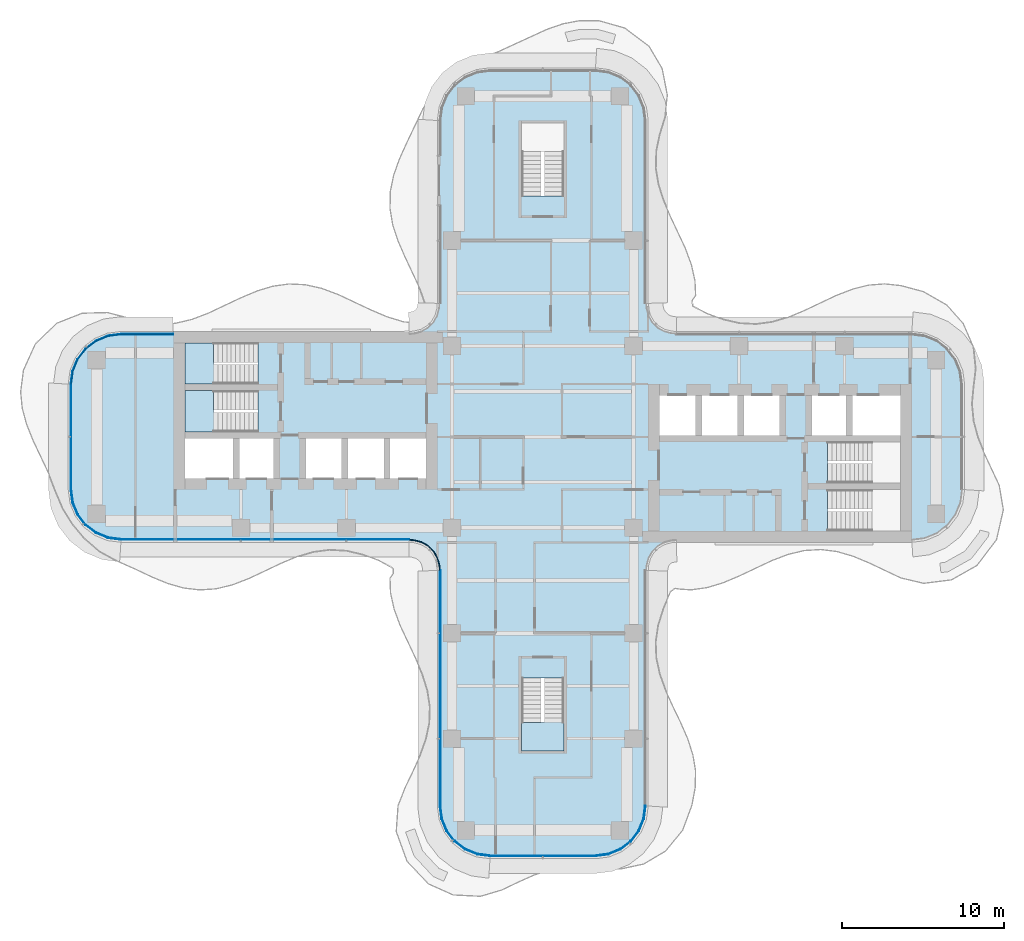
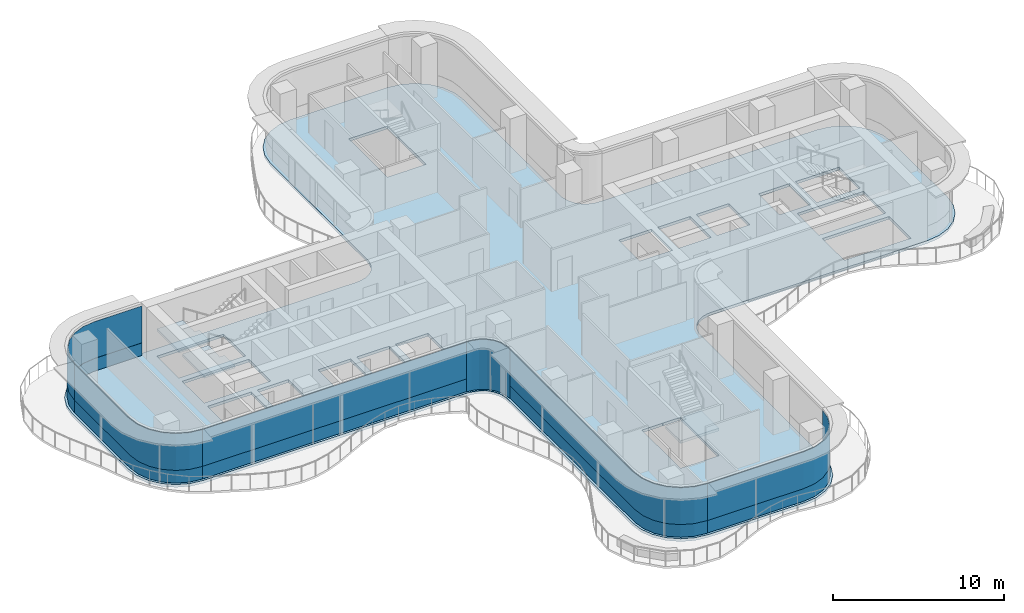
# One storey, part 9 of 17: 11 plates, 4 slabs, 9 elements without a shape of their own.
"""IFC4 building model written with IfcOpenShell, lengths in metres."""

from ifc_helpers import new_model, si_unit, direction, frame, origin, place, context, subcontext, project, spatial, polyline, outline, extrude, source, transform, mapped, material, layer, layer_set, type_object, element, aggregate, save


model = new_model("IFC4")

# Units and contexts
model_context = context("Model", 3, precision=1e-05, world=origin(), true_north=direction((0.0, 1.0)))
body_context = subcontext(model_context, "Body", "Model", "MODEL_VIEW")
ifc_project = project(units=[si_unit("LENGTHUNIT", "METRE"), si_unit("AREAUNIT", "SQUARE_METRE"), si_unit("VOLUMEUNIT", "CUBIC_METRE"), si_unit("PLANEANGLEUNIT", "RADIAN"), si_unit("MASSUNIT", "GRAM", prefix="KILO")], contexts=[model_context])

# Site, building, storey
site_placement = place(None, origin())
site = spatial("IfcSite", under=ifc_project, at=site_placement, CompositionType="ELEMENT")
building_placement = place(site_placement, origin())
building = spatial("IfcBuilding", under=site, at=building_placement, Name="Trellis Farm Tower", CompositionType="ELEMENT")
storey_placement = place(building_placement, frame((0.0, 0.0, 232.39990234375)))
storey = spatial("IfcBuildingStorey", under=building, at=storey_placement, Name="L51", CompositionType="ELEMENT", Elevation=232.39990234375)

# Slab
ifc_material_1 = material(Name="Concrete C40/50", Category="concrete")
ifc_layer_1 = layer(ifc_material_1, 0.199951171875)
ifc_layer_set_1 = layer_set([ifc_layer_1], Name="Composite deck floor slab 200")
slab_type_1 = type_object("IfcSlabType", Name="Composite deck floor slab 200", PredefinedType="FLOOR", material=ifc_layer_set_1)
shared_shape_1 = source(origin(), body_context, "Body", "SweptSolid", [
    extrude(outline(polyline([(-26.84130859375, -6.389404296875), (-27.625, -6.064697265625), (-28.298095703125, -5.548095703125), (-28.814697265625, -4.875), (-29.139404296875, -4.09130859375), (-29.25, -3.25), (-29.25, 3.25), (-29.139404296875, 4.09130859375), (-28.814697265625, 4.875), (-28.298095703125, 5.548095703125), (-27.625, 6.064697265625), (-26.84130859375, 6.389404296875), (-26.0, 6.5), (-8.2314453125, 6.5), (-8.01953125, 6.513916015625), (-7.91552734375, 6.527587890625), (-7.508544921875, 6.63671875), (-7.144287109375, 6.846923828125), (-6.846923828125, 7.144287109375), (-6.63671875, 7.508544921875), (-6.527587890625, 7.91552734375), (-6.513916015625, 8.01953125), (-6.5, 8.2314453125), (-6.5, 19.5), (-6.389404296875, 20.34130859375), (-6.064697265625, 21.125), (-5.548095703125, 21.798095703125), (-4.875, 22.314697265625), (-4.09130859375, 22.639404296875), (-3.25, 22.75), (3.25, 22.75), (4.09130859375, 22.639404296875), (4.875, 22.314697265625), (5.548095703125, 21.798095703125), (6.064697265625, 21.125), (6.389404296875, 20.34130859375), (6.5, 19.5), (6.5, 8.2314453125), (6.513916015625, 8.01953125), (6.527587890625, 7.91552734375), (6.63671875, 7.508544921875), (6.846923828125, 7.144287109375), (7.144287109375, 6.846923828125), (7.508544921875, 6.63671875), (7.91552734375, 6.527587890625), (8.01953125, 6.513916015625), (8.2314453125, 6.5), (22.75, 6.5), (23.59130859375, 6.389404296875), (24.375, 6.064697265625), (25.048095703125, 5.548095703125), (25.564697265625, 4.875), (25.889404296875, 4.09130859375), (26.0, 3.25), (26.0, -3.25), (25.889404296875, -4.09130859375), (25.564697265625, -4.875), (25.048095703125, -5.548095703125), (24.375, -6.064697265625), (23.59130859375, -6.389404296875), (22.75, -6.5), (8.2314453125, -6.5), (8.01953125, -6.513916015625), (7.91552734375, -6.527587890625), (7.508544921875, -6.63671875), (7.144287109375, -6.846923828125), (6.846923828125, -7.144287109375), (6.63671875, -7.508544921875), (6.527587890625, -7.91552734375), (6.513916015625, -8.01953125), (6.5, -8.2314453125), (6.5, -22.75), (6.389404296875, -23.59130859375), (6.064697265625, -24.375), (5.548095703125, -25.048095703125), (4.875, -25.564697265625), (4.09130859375, -25.889404296875), (3.25, -26.0), (-3.25, -26.0), (-4.09130859375, -25.889404296875), (-4.875, -25.564697265625), (-5.548095703125, -25.048095703125), (-6.064697265625, -24.375), (-6.389404296875, -23.59130859375), (-6.5, -22.75), (-6.5, -8.2314453125), (-6.513916015625, -8.01953125), (-6.527587890625, -7.91552734375), (-6.63671875, -7.508544921875), (-6.846923828125, -7.144287109375), (-7.144287109375, -6.846923828125), (-7.508544921875, -6.63671875), (-7.91552734375, -6.527587890625), (-8.01953125, -6.513916015625), (-8.2314453125, -6.5), (-26.0, -6.5), (-26.84130859375, -6.389404296875)]), holes=[polyline([(-22.050048828125, -0.10009765625), (-22.050048828125, -2.550048828125), (-19.10009765625, -2.550048828125), (-19.10009765625, -0.10009765625), (-22.050048828125, -0.10009765625)]), polyline([(-18.699951171875, -0.10009765625), (-18.699951171875, -2.550048828125), (-16.60009765625, -2.550048828125), (-16.60009765625, -0.10009765625), (-18.699951171875, -0.10009765625)]), polyline([(-14.60009765625, -0.10009765625), (-14.60009765625, -2.550048828125), (-12.39990234375, -2.550048828125), (-12.39990234375, -0.10009765625), (-14.60009765625, -0.10009765625)]), polyline([(-12.0, -0.10009765625), (-12.0, -2.550048828125), (-9.800048828125, -2.550048828125), (-9.800048828125, -0.10009765625), (-12.0, -0.10009765625)]), polyline([(-9.39990234375, -0.10009765625), (-9.39990234375, -2.550048828125), (-7.199951171875, -2.550048828125), (-7.199951171875, -0.10009765625), (-9.39990234375, -0.10009765625)]), polyline([(-17.56201171875, 1.64990234375), (-17.56201171875, 2.85009765625), (-22.050048828125, 2.85009765625), (-22.050048828125, 0.300048828125), (-17.56005859375, 0.300048828125), (-17.56005859375, 1.5), (-17.550048828125, 1.5), (-17.550048828125, 1.64990234375), (-17.56201171875, 1.64990234375)]), polyline([(-17.56201171875, 4.60009765625), (-17.56201171875, 5.800048828125), (-22.050048828125, 5.800048828125), (-22.050048828125, 3.25), (-17.56005859375, 3.25), (-17.56005859375, 4.449951171875), (-17.550048828125, 4.449951171875), (-17.550048828125, 4.60009765625), (-17.56201171875, 4.60009765625)]), polyline([(0.10009765625, 14.862060546875), (1.300048828125, 14.862060546875), (1.300048828125, 19.35009765625), (-1.300048828125, 19.35009765625), (-1.300048828125, 14.860107421875), (-0.10009765625, 14.860107421875), (-0.10009765625, 14.85009765625), (0.10009765625, 14.85009765625), (0.10009765625, 14.862060546875)]), polyline([(-0.10009765625, -14.862060546875), (-1.300048828125, -14.862060546875), (-1.300048828125, -19.35009765625), (1.300048828125, -19.35009765625), (1.300048828125, -14.860107421875), (0.10009765625, -14.860107421875), (0.10009765625, -14.85009765625), (-0.10009765625, -14.85009765625), (-0.10009765625, -14.862060546875)]), polyline([(17.56201171875, -4.60009765625), (17.56201171875, -5.800048828125), (22.050048828125, -5.800048828125), (22.050048828125, -3.25), (17.56005859375, -3.25), (17.56005859375, -4.449951171875), (17.550048828125, -4.449951171875), (17.550048828125, -4.60009765625), (17.56201171875, -4.60009765625)]), polyline([(17.56201171875, -1.64990234375), (17.56201171875, -2.85009765625), (22.050048828125, -2.85009765625), (22.050048828125, -0.300048828125), (17.56005859375, -0.300048828125), (17.56005859375, -1.5), (17.550048828125, -1.5), (17.550048828125, -1.64990234375), (17.56201171875, -1.64990234375)]), polyline([(9.39990234375, 0.10009765625), (9.39990234375, 2.550048828125), (7.199951171875, 2.550048828125), (7.199951171875, 0.10009765625), (9.39990234375, 0.10009765625)]), polyline([(12.0, 0.10009765625), (12.0, 2.550048828125), (9.800048828125, 2.550048828125), (9.800048828125, 0.10009765625), (12.0, 0.10009765625)]), polyline([(14.60009765625, 0.10009765625), (14.60009765625, 2.550048828125), (12.39990234375, 2.550048828125), (12.39990234375, 0.10009765625), (14.60009765625, 0.10009765625)]), polyline([(18.699951171875, 0.10009765625), (18.699951171875, 2.550048828125), (16.60009765625, 2.550048828125), (16.60009765625, 0.10009765625), (18.699951171875, 0.10009765625)]), polyline([(22.050048828125, 0.10009765625), (22.050048828125, 2.550048828125), (19.10009765625, 2.550048828125), (19.10009765625, 0.10009765625), (22.050048828125, 0.10009765625)])]), origin(), (0.0, 0.0, 1.0), 0.199951171875),
])
slab_1_placement = place(storey_placement, frame((0.0, 0.0, -0.199951171875)))
element("IfcSlab", 1, at=slab_1_placement, inside=storey, type_object=slab_type_1, Name="Floor slab", PredefinedType="FLOOR", context=body_context, shape_type="MappedRepresentation", body=[
    mapped(shared_shape_1, transform((0.0, 0.0, 0.0))),
])

# Stair, slab
ifc_material_2 = material(Name="Concrete C50/60", Category="concrete")
stair_type = type_object("IfcStairType", Name="CORE EXIT STAIR 22 RISERS 177 MM", PredefinedType="HALF_TURN_STAIR", material=ifc_material_2)
placement_1 = place(storey_placement, origin())
stair_1 = element("IfcStair", 2, at=placement_1, inside=storey, type_object=stair_type, Name="Exit stair S", PredefinedType="HALF_TURN_STAIR")
ifc_layer_2 = layer(ifc_material_2, 0.18994140625)
ifc_layer_set_2 = layer_set([ifc_layer_2], Name="CORE STAIR LANDING 190 CONCRETE C50/60")
slab_type_2 = type_object("IfcSlabType", Name="CORE STAIR LANDING 190 CONCRETE C50/60", PredefinedType="LANDING", material=ifc_layer_set_2)
shared_shape_2 = source(origin(), body_context, "Body", "SweptSolid", [
    extrude(outline(polyline([(1.300048828125, -19.35009765625), (-1.300048828125, -19.35009765625), (-1.300048828125, -17.60009765625), (-1.300048828125, -17.590087890625), (-0.10009765625, -17.590087890625), (-0.10009765625, -17.60009765625), (0.10009765625, -17.60009765625), (0.10009765625, -17.27197265625), (1.300048828125, -17.27197265625), (1.300048828125, -17.60009765625), (1.300048828125, -19.35009765625)])), origin(), (0.0, 0.0, 1.0), 0.190185546875),
])
placement_2 = place(storey_placement, frame((0.0, 0.0, 1.760009765625)))
slab_2 = element("IfcSlab", 3, at=placement_2, type_object=slab_type_2, Name="STS landing 1", PredefinedType="LANDING", context=body_context, shape_type="MappedRepresentation", body=[
    mapped(shared_shape_2, transform((0.0, 0.0, 0.0))),
])
aggregate(stair_1, [slab_2])

stair_2 = element("IfcStair", 4, at=placement_1, inside=storey, type_object=stair_type, Name="Exit stair W1", PredefinedType="HALF_TURN_STAIR")
shared_shape_3 = source(origin(), body_context, "Body", "SweptSolid", [
    extrude(outline(polyline([(-19.971923828125, 4.449951171875), (-19.971923828125, 3.25), (-20.300048828125, 3.25), (-22.050048828125, 3.25), (-22.050048828125, 5.800048828125), (-20.300048828125, 5.800048828125), (-20.2900390625, 5.800048828125), (-20.2900390625, 4.60009765625), (-20.300048828125, 4.60009765625), (-20.300048828125, 4.449951171875), (-19.971923828125, 4.449951171875)])), origin(), (0.0, 0.0, 1.0), 0.190185546875),
])
slab_3 = element("IfcSlab", 5, at=placement_2, type_object=slab_type_2, Name="STW1 landing 1", PredefinedType="LANDING", context=body_context, shape_type="MappedRepresentation", body=[
    mapped(shared_shape_3, transform((0.0, 0.0, 0.0))),
])
aggregate(stair_2, [slab_3])

stair_3 = element("IfcStair", 6, at=placement_1, inside=storey, type_object=stair_type, Name="Exit stair W2", PredefinedType="HALF_TURN_STAIR")
shared_shape_4 = source(origin(), body_context, "Body", "SweptSolid", [
    extrude(outline(polyline([(-19.971923828125, 1.5), (-19.971923828125, 0.300048828125), (-20.300048828125, 0.300048828125), (-22.050048828125, 0.300048828125), (-22.050048828125, 2.85009765625), (-20.300048828125, 2.85009765625), (-20.2900390625, 2.85009765625), (-20.2900390625, 1.64990234375), (-20.300048828125, 1.64990234375), (-20.300048828125, 1.5), (-19.971923828125, 1.5)])), origin(), (0.0, 0.0, 1.0), 0.190185546875),
])
slab_4 = element("IfcSlab", 7, at=placement_2, type_object=slab_type_2, Name="STW2 landing 1", PredefinedType="LANDING", context=body_context, shape_type="MappedRepresentation", body=[
    mapped(shared_shape_4, transform((0.0, 0.0, 0.0))),
])
aggregate(stair_3, [slab_4])

# Curtain wall, plate
ifc_material_3 = material(Name="Aluminium and glass curtain wall", Category="aluminium")
ifc_layer_3 = layer(ifc_material_3, 0.166015625)
ifc_layer_set_3 = layer_set([ifc_layer_3], Name="WINTER GARDEN CURTAIN WALL CW3")
curtain_wall_type_1 = type_object("IfcCurtainWallType", Name="WINTER GARDEN CURTAIN WALL CW3", PredefinedType="NOTDEFINED", material=ifc_layer_set_3)
curtain_wall_1 = element("IfcCurtainWall", 8, at=placement_1, inside=storey, type_object=curtain_wall_type_1, Name="CW3 001", PredefinedType="NOTDEFINED")
ifc_material_4 = material(Name="Clear insulated glass", Category="glass")
ifc_layer_4 = layer(ifc_material_4, 0.0458984375)
ifc_layer_set_4 = layer_set([ifc_layer_4], Name="CW3 GLASS PANEL 46")
plate_type_1 = type_object("IfcPlateType", Name="CW3 GLASS PANEL 46", PredefinedType="CURTAIN_PANEL", material=ifc_layer_set_4)
shared_shape_5 = source(origin(), body_context, "Body", "SweptSolid", [
    extrude(outline(polyline([(-8.2275390625, -6.3798828125), (-8.0078125, -6.394287109375), (-7.89208984375, -6.40966796875), (-7.462158203125, -6.52490234375), (-7.070556640625, -6.7509765625), (-6.7509765625, -7.070556640625), (-6.52490234375, -7.462158203125), (-6.40966796875, -7.89208984375), (-6.394287109375, -8.0078125), (-6.3798828125, -8.2275390625), (-6.333984375, -8.22607421875), (-6.3486328125, -8.003173828125), (-6.364501953125, -7.883056640625), (-6.48193359375, -7.4443359375), (-6.714111328125, -7.04248046875), (-7.04248046875, -6.714111328125), (-7.4443359375, -6.48193359375), (-7.883056640625, -6.364501953125), (-8.003173828125, -6.3486328125), (-8.22607421875, -6.333984375), (-8.2275390625, -6.3798828125)])), origin(), (0.0, 0.0, 1.0), 3.550048828125),
])
plate_1 = element("IfcPlate", 9, at=placement_1, type_object=plate_type_1, Name="PL3 001", PredefinedType="CURTAIN_PANEL", context=body_context, shape_type="MappedRepresentation", body=[
    mapped(shared_shape_5, transform((0.0, 0.0, 0.0))),
])
aggregate(curtain_wall_1, [plate_1])

# Curtain wall, plates
ifc_layer_5 = layer(ifc_material_3, 0.18994140625)
ifc_layer_set_5 = layer_set([ifc_layer_5], Name="RIBBON CURTAIN WALL CW1")
curtain_wall_type_2 = type_object("IfcCurtainWallType", Name="RIBBON CURTAIN WALL CW1", PredefinedType="NOTDEFINED", material=ifc_layer_set_5)
curtain_wall_2 = element("IfcCurtainWall", 10, at=placement_1, inside=storey, type_object=curtain_wall_type_2, Name="CW1 001", PredefinedType="NOTDEFINED")
ifc_layer_6 = layer(ifc_material_4, 0.0400390625)
ifc_layer_set_6 = layer_set([ifc_layer_6], Name="CW1 GLASS PANEL 40")
plate_type_2 = type_object("IfcPlateType", Name="CW1 GLASS PANEL 40", PredefinedType="CURTAIN_PANEL", material=ifc_layer_set_6)
shared_shape_6 = source(origin(), body_context, "Body", "SweptSolid", [
    extrude(outline(polyline([(-25.990234375, -6.35009765625), (-8.2265625, -6.35009765625), (-8.22509765625, -6.31005859375), (-25.987548828125, -6.31005859375), (-25.990234375, -6.35009765625)])), origin(), (0.0, 0.0, 1.0), 2.619873046875),
])
placement_3 = place(storey_placement, frame((0.0, 0.0, 0.900146484375)))
plate_2 = element("IfcPlate", 11, at=placement_3, type_object=plate_type_2, Name="PL1 001", PredefinedType="CURTAIN_PANEL", context=body_context, shape_type="MappedRepresentation", body=[
    mapped(shared_shape_6, transform((0.0, 0.0, 0.0))),
])
ifc_material_5 = material(Name="Sandstone faced insulated panel", Category="masonry")
ifc_layer_7 = layer(ifc_material_5, 0.050048828125)
ifc_layer_set_7 = layer_set([ifc_layer_7], Name="CW1 STONE SPANDREL PANEL 50")
plate_type_3 = type_object("IfcPlateType", Name="CW1 STONE SPANDREL PANEL 50", PredefinedType="CURTAIN_PANEL", material=ifc_layer_set_7)
shared_shape_7 = source(origin(), body_context, "Body", "SweptSolid", [
    extrude(outline(polyline([(-25.990234375, -6.35009765625), (-8.2265625, -6.35009765625), (-8.224853515625, -6.300048828125), (-25.98681640625, -6.300048828125), (-25.990234375, -6.35009765625)])), origin(), (0.0, 0.0, 1.0), 0.900146484375),
])
plate_3 = element("IfcPlate", 12, at=placement_1, type_object=plate_type_3, Name="PS1 001", PredefinedType="CURTAIN_PANEL", context=body_context, shape_type="MappedRepresentation", body=[
    mapped(shared_shape_7, transform((0.0, 0.0, 0.0))),
])
aggregate(curtain_wall_2, [plate_2, plate_3])

curtain_wall_3 = element("IfcCurtainWall", 13, at=placement_1, inside=storey, type_object=curtain_wall_type_2, Name="CW1 002", PredefinedType="NOTDEFINED")
shared_shape_8 = source(origin(), body_context, "Body", "SweptSolid", [
    extrude(outline(polyline([(-6.35009765625, -8.2265625), (-6.35009765625, -22.740234375), (-6.2431640625, -23.552001953125), (-5.93359375, -24.29931640625), (-5.441162109375, -24.941162109375), (-4.79931640625, -25.43359375), (-4.052001953125, -25.7431640625), (-3.240234375, -25.85009765625), (-3.237548828125, -25.81005859375), (-4.04150390625, -25.7041015625), (-4.779296875, -25.398681640625), (-5.41259765625, -24.91259765625), (-5.898681640625, -24.279296875), (-6.2041015625, -23.54150390625), (-6.31005859375, -22.737548828125), (-6.31005859375, -8.22509765625), (-6.35009765625, -8.2265625)])), origin(), (0.0, 0.0, 1.0), 2.619873046875),
])
plate_4 = element("IfcPlate", 14, at=placement_3, type_object=plate_type_2, Name="PL1 002", PredefinedType="CURTAIN_PANEL", context=body_context, shape_type="MappedRepresentation", body=[
    mapped(shared_shape_8, transform((0.0, 0.0, 0.0))),
])
shared_shape_9 = source(origin(), body_context, "Body", "SweptSolid", [
    extrude(outline(polyline([(-6.35009765625, -8.2265625), (-6.35009765625, -22.740234375), (-6.2431640625, -23.552001953125), (-5.93359375, -24.29931640625), (-5.441162109375, -24.941162109375), (-4.79931640625, -25.43359375), (-4.052001953125, -25.7431640625), (-3.240234375, -25.85009765625), (-3.23681640625, -25.800048828125), (-4.0390625, -25.6943359375), (-4.774169921875, -25.389892578125), (-5.405517578125, -24.905517578125), (-5.889892578125, -24.274169921875), (-6.1943359375, -23.5390625), (-6.300048828125, -22.73681640625), (-6.300048828125, -8.224853515625), (-6.35009765625, -8.2265625)])), origin(), (0.0, 0.0, 1.0), 0.900146484375),
])
plate_5 = element("IfcPlate", 15, at=placement_1, type_object=plate_type_3, Name="PS1 002", PredefinedType="CURTAIN_PANEL", context=body_context, shape_type="MappedRepresentation", body=[
    mapped(shared_shape_9, transform((0.0, 0.0, 0.0))),
])
aggregate(curtain_wall_3, [plate_4, plate_5])

curtain_wall_4 = element("IfcCurtainWall", 16, at=placement_1, inside=storey, type_object=curtain_wall_type_2, Name="CW1 003", PredefinedType="NOTDEFINED")
shared_shape_10 = source(origin(), body_context, "Body", "SweptSolid", [
    extrude(outline(polyline([(-3.240234375, -25.85009765625), (3.240234375, -25.85009765625), (4.052001953125, -25.7431640625), (4.79931640625, -25.43359375), (5.441162109375, -24.941162109375), (5.93359375, -24.29931640625), (6.2431640625, -23.552001953125), (6.35009765625, -22.740234375), (6.31005859375, -22.737548828125), (6.2041015625, -23.54150390625), (5.898681640625, -24.279296875), (5.41259765625, -24.91259765625), (4.779296875, -25.398681640625), (4.04150390625, -25.7041015625), (3.237548828125, -25.81005859375), (-3.237548828125, -25.81005859375), (-3.240234375, -25.85009765625)])), origin(), (0.0, 0.0, 1.0), 2.619873046875),
])
plate_6 = element("IfcPlate", 17, at=placement_3, type_object=plate_type_2, Name="PL1 003", PredefinedType="CURTAIN_PANEL", context=body_context, shape_type="MappedRepresentation", body=[
    mapped(shared_shape_10, transform((0.0, 0.0, 0.0))),
])
shared_shape_11 = source(origin(), body_context, "Body", "SweptSolid", [
    extrude(outline(polyline([(-3.240234375, -25.85009765625), (3.240234375, -25.85009765625), (4.052001953125, -25.7431640625), (4.79931640625, -25.43359375), (5.441162109375, -24.941162109375), (5.93359375, -24.29931640625), (6.2431640625, -23.552001953125), (6.35009765625, -22.740234375), (6.300048828125, -22.73681640625), (6.1943359375, -23.5390625), (5.889892578125, -24.274169921875), (5.405517578125, -24.905517578125), (4.774169921875, -25.389892578125), (4.0390625, -25.6943359375), (3.23681640625, -25.800048828125), (-3.23681640625, -25.800048828125), (-3.240234375, -25.85009765625)])), origin(), (0.0, 0.0, 1.0), 0.900146484375),
])
plate_7 = element("IfcPlate", 18, at=placement_1, type_object=plate_type_3, Name="PS1 003", PredefinedType="CURTAIN_PANEL", context=body_context, shape_type="MappedRepresentation", body=[
    mapped(shared_shape_11, transform((0.0, 0.0, 0.0))),
])
aggregate(curtain_wall_4, [plate_6, plate_7])

curtain_wall_5 = element("IfcCurtainWall", 19, at=placement_1, inside=storey, type_object=curtain_wall_type_2, Name="CW1 012", PredefinedType="NOTDEFINED")
shared_shape_12 = source(origin(), body_context, "Body", "SweptSolid", [
    extrude(outline(polyline([(-22.780029296875, 6.35009765625), (-25.990234375, 6.35009765625), (-26.802001953125, 6.2431640625), (-27.54931640625, 5.93359375), (-28.191162109375, 5.441162109375), (-28.68359375, 4.79931640625), (-28.9931640625, 4.052001953125), (-29.10009765625, 3.240234375), (-29.06005859375, 3.237548828125), (-28.9541015625, 4.04150390625), (-28.648681640625, 4.779296875), (-28.16259765625, 5.41259765625), (-27.529296875, 5.898681640625), (-26.79150390625, 6.2041015625), (-25.987548828125, 6.31005859375), (-22.780029296875, 6.31005859375), (-22.780029296875, 6.35009765625)])), origin(), (0.0, 0.0, 1.0), 2.619873046875),
])
plate_8 = element("IfcPlate", 20, at=placement_3, type_object=plate_type_2, Name="PL1 012", PredefinedType="CURTAIN_PANEL", context=body_context, shape_type="MappedRepresentation", body=[
    mapped(shared_shape_12, transform((0.0, 0.0, 0.0))),
])
shared_shape_13 = source(origin(), body_context, "Body", "SweptSolid", [
    extrude(outline(polyline([(-22.780029296875, 6.35009765625), (-25.990234375, 6.35009765625), (-26.802001953125, 6.2431640625), (-27.54931640625, 5.93359375), (-28.191162109375, 5.441162109375), (-28.68359375, 4.79931640625), (-28.9931640625, 4.052001953125), (-29.10009765625, 3.240234375), (-29.050048828125, 3.23681640625), (-28.9443359375, 4.0390625), (-28.639892578125, 4.774169921875), (-28.155517578125, 5.405517578125), (-27.524169921875, 5.889892578125), (-26.7890625, 6.1943359375), (-25.98681640625, 6.300048828125), (-22.780029296875, 6.300048828125), (-22.780029296875, 6.35009765625)])), origin(), (0.0, 0.0, 1.0), 0.900146484375),
])
plate_9 = element("IfcPlate", 21, at=placement_1, type_object=plate_type_3, Name="PS1 012", PredefinedType="CURTAIN_PANEL", context=body_context, shape_type="MappedRepresentation", body=[
    mapped(shared_shape_13, transform((0.0, 0.0, 0.0))),
])
aggregate(curtain_wall_5, [plate_8, plate_9])

curtain_wall_6 = element("IfcCurtainWall", 22, at=placement_1, inside=storey, type_object=curtain_wall_type_2, Name="CW1 013", PredefinedType="NOTDEFINED")
shared_shape_14 = source(origin(), body_context, "Body", "SweptSolid", [
    extrude(outline(polyline([(-29.10009765625, 3.240234375), (-29.10009765625, -3.240234375), (-28.9931640625, -4.052001953125), (-28.68359375, -4.79931640625), (-28.191162109375, -5.441162109375), (-27.54931640625, -5.93359375), (-26.802001953125, -6.2431640625), (-25.990234375, -6.35009765625), (-25.987548828125, -6.31005859375), (-26.79150390625, -6.2041015625), (-27.529296875, -5.898681640625), (-28.16259765625, -5.41259765625), (-28.648681640625, -4.779296875), (-28.9541015625, -4.04150390625), (-29.06005859375, -3.237548828125), (-29.06005859375, 3.237548828125), (-29.10009765625, 3.240234375)])), origin(), (0.0, 0.0, 1.0), 2.619873046875),
])
plate_10 = element("IfcPlate", 23, at=placement_3, type_object=plate_type_2, Name="PL1 013", PredefinedType="CURTAIN_PANEL", context=body_context, shape_type="MappedRepresentation", body=[
    mapped(shared_shape_14, transform((0.0, 0.0, 0.0))),
])
shared_shape_15 = source(origin(), body_context, "Body", "SweptSolid", [
    extrude(outline(polyline([(-29.10009765625, 3.240234375), (-29.10009765625, -3.240234375), (-28.9931640625, -4.052001953125), (-28.68359375, -4.79931640625), (-28.191162109375, -5.441162109375), (-27.54931640625, -5.93359375), (-26.802001953125, -6.2431640625), (-25.990234375, -6.35009765625), (-25.98681640625, -6.300048828125), (-26.7890625, -6.1943359375), (-27.524169921875, -5.889892578125), (-28.155517578125, -5.405517578125), (-28.639892578125, -4.774169921875), (-28.9443359375, -4.0390625), (-29.050048828125, -3.23681640625), (-29.050048828125, 3.23681640625), (-29.10009765625, 3.240234375)])), origin(), (0.0, 0.0, 1.0), 0.900146484375),
])
plate_11 = element("IfcPlate", 24, at=placement_1, type_object=plate_type_3, Name="PS1 013", PredefinedType="CURTAIN_PANEL", context=body_context, shape_type="MappedRepresentation", body=[
    mapped(shared_shape_15, transform((0.0, 0.0, 0.0))),
])
aggregate(curtain_wall_6, [plate_10, plate_11])

save(model, "model.ifc")
